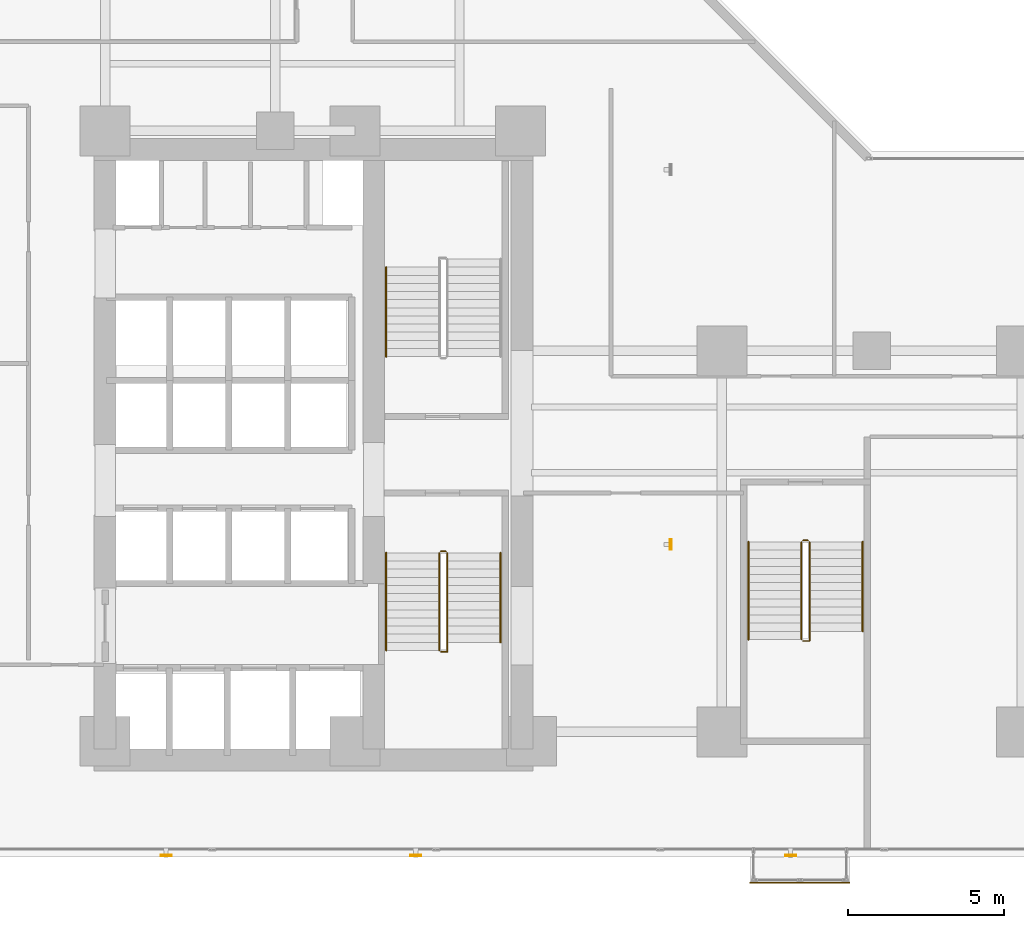
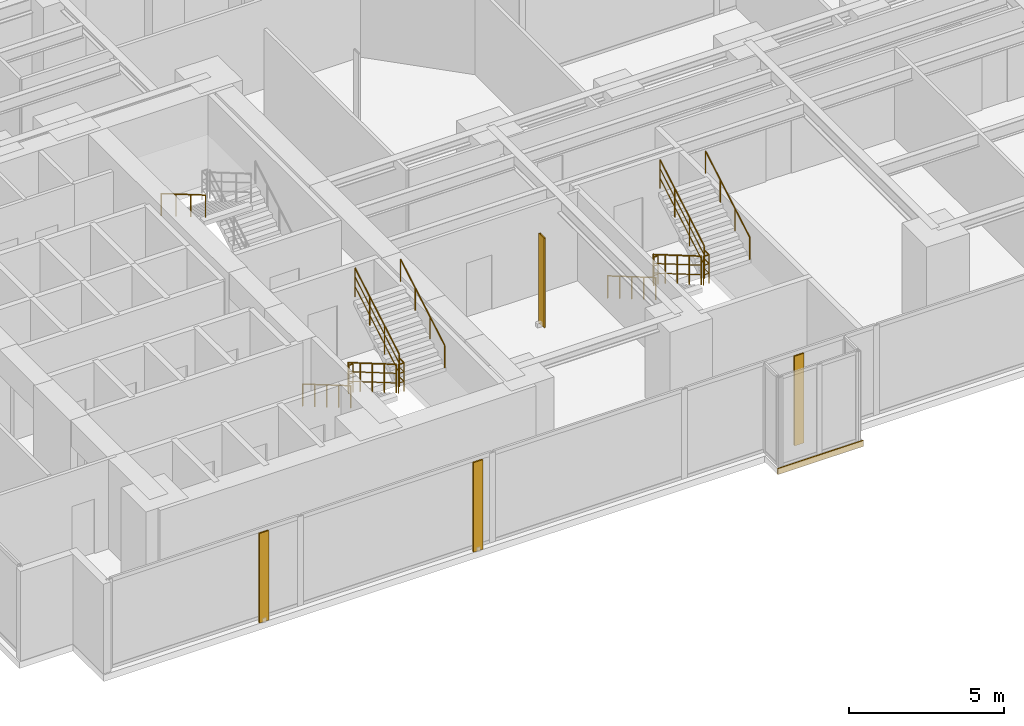
# One storey, part 25 of 26: 13 railings, 4 shading devices, 1 covering.
"""IFC4 building model written with IfcOpenShell, lengths in metres."""

from ifc_helpers import new_model, si_unit, direction, frame, origin, origin_2d, place, context, subcontext, project, spatial, rectangle, hollow_rectangle, circle, extrude, material, layer, layer_set, material_profile, profile_set, type_object, element, save


model = new_model("IFC4")

# Units and contexts
model_context = context("Model", 3, precision=1e-05, world=origin(), true_north=direction((0.0, 1.0)))
body_context = subcontext(model_context, "Body", "Model", "MODEL_VIEW")
ifc_project = project(units=[si_unit("LENGTHUNIT", "METRE"), si_unit("AREAUNIT", "SQUARE_METRE"), si_unit("VOLUMEUNIT", "CUBIC_METRE"), si_unit("PLANEANGLEUNIT", "RADIAN"), si_unit("MASSUNIT", "GRAM", prefix="KILO")], contexts=[model_context])

# Site, building, storey
site_placement = place(None, origin())
site = spatial("IfcSite", under=ifc_project, at=site_placement, CompositionType="ELEMENT")
building_placement = place(site_placement, origin())
building = spatial("IfcBuilding", under=site, at=building_placement, Name="Kolvaren Waterfront Exchange", CompositionType="ELEMENT")
storey_placement = place(building_placement, frame((0.0, 0.0, 48.60009765625)))
storey = spatial("IfcBuildingStorey", under=building, at=storey_placement, Name="L12", CompositionType="ELEMENT", Elevation=48.60009765625)

# Covering
ifc_material_1 = material(Name="Anodised bronze fascia aluminium", Category="aluminium")
ifc_layer = layer(ifc_material_1, 0.034912109375, Name="Anodised bronze fascia aluminium")
ifc_layer_set = layer_set([ifc_layer], Name="Anodised bronze fascia aluminium")
covering_type = type_object("IfcCoveringType", Name="ARC-CLAD-BRONZE-35", PredefinedType="CLADDING", material=ifc_layer_set)
covering_placement = place(storey_placement, frame((29.699951171875, 0.3701171875, -0.22021484375), z_axis=(0.0, 0.0, 1.0), x_axis=(1.0, 0.0, 0.0)))
element("IfcCovering", 1, at=covering_placement, inside=storey, type_object=covering_type, Name="L12 ribbed anodised bronze bay-box fascia", PredefinedType="CLADDING", context=body_context, shape_type="SweptSolid", body=[
    extrude(rectangle(XDim=3.199951171875, YDim=0.034912109375, at=origin_2d()), origin(), (0.0, 0.0, 1.0), 0.239990234375),
])

# Shading devices
ifc_material_2 = material(Name="Anodised bronze aluminium 6063-T6", Category="aluminium")
ifc_material_profile = material_profile(ifc_material_2, hollow_rectangle(XDim=0.06005859375, YDim=0.35009765625, WallThickness=0.0048828125, at=origin_2d()), Name="BRZ-FIN-350x60x5")
ifc_profile_set = profile_set([ifc_material_profile], Name="Anodised bronze aluminium 6063-T6")
shading_device_type = type_object("IfcShadingDeviceType", Name="ARC-FIN-350", PredefinedType="USERDEFINED", material=ifc_profile_set)
for number, where, z_axis, x_axis, name in (
    (2, (9.39990234375, 1.239990234375, 0.0), (0.0, 0.0, 1.0), (0.0, -1.0, 0.0), "L12 anodised bronze solar shading fin FIN-L12-S1"),
    (3, (17.39990234375, 1.239990234375, 0.0), (0.0, 0.0, 1.0), (0.0, -1.0, 0.0), "L12 anodised bronze solar shading fin FIN-L12-S2"),
    (4, (29.39990234375, 1.239990234375, 0.0), (0.0, 0.0, 1.0), (0.0, -1.0, 0.0), "L12 anodised bronze solar shading fin FIN-L12-S3"),
    (5, (25.56005859375, 11.199951171875, 0.0), (0.0, 0.0, 1.0), (1.0, 0.0, 0.0), "L12 anodised bronze solar shading fin FIN-L12-E1"),
):
    element("IfcShadingDevice", number, at=place(storey_placement, frame(where, z_axis=z_axis, x_axis=x_axis)), inside=storey, type_object=shading_device_type, Name=name, ObjectType="SOLAR FIN", PredefinedType="USERDEFINED", context=body_context, shape_type="SweptSolid", body=[
        extrude(hollow_rectangle(XDim=0.06005859375, YDim=0.35009765625, WallThickness=0.0048828125, at=origin_2d()), origin(), (0.0, 0.0, 1.0), 3.539794921875),
    ])

# Railings
ifc_material_3 = material(Name="Stainless steel 316", Category="steel")
railing_type_1 = type_object("IfcRailingType", Name="ARC-GUARD-STAIR", PredefinedType="GUARDRAIL", material=ifc_material_3)
railing_1_placement = place(storey_placement, frame((18.14990234375, 10.929931640625, 0.15185546875)))
element("IfcRailing", 6, at=railing_1_placement, inside=storey, type_object=railing_type_1, Name="L12 ST1 stair guard 1", PredefinedType="GUARDRAIL", context=body_context, shape_type="SweptSolid", body=[
    extrude(circle(Radius=0.02392578125, at=origin_2d()), frame((0.0, 0.0, 1.1259765625), z_axis=(0.0, -0.86329090724, 0.504706656858), x_axis=(1.0, 0.0, 0.0)), (0.0, 0.0, 1.0), 3.614013671875),
    extrude(circle(Radius=0.01611328125, at=origin_2d()), frame((0.0, 0.0, 0.390869140625), z_axis=(0.0, -0.86329090724, 0.504706656858), x_axis=(1.0, 0.0, 0.0)), (0.0, 0.0, 1.0), 3.614013671875),
    extrude(circle(Radius=0.01611328125, at=origin_2d()), frame((0.0, 0.0, 0.7705078125), z_axis=(0.0, -0.86329090724, 0.504706656858), x_axis=(1.0, 0.0, 0.0)), (0.0, 0.0, 1.0), 3.614013671875),
    extrude(circle(Radius=0.02099609375, at=origin_2d()), origin(), (0.0, 0.0, 1.0), 1.101806640625),
    extrude(circle(Radius=0.02099609375, at=origin_2d()), frame((0.0, -0.780029296875, 0.4560546875)), (0.0, 0.0, 1.0), 1.101806640625),
    extrude(circle(Radius=0.02099609375, at=origin_2d()), frame((0.0, -1.56005859375, 0.912109375)), (0.0, 0.0, 1.0), 1.101806640625),
    extrude(circle(Radius=0.02099609375, at=origin_2d()), frame((0.0, -2.33984375, 1.367919921875)), (0.0, 0.0, 1.0), 1.101806640625),
    extrude(circle(Radius=0.02099609375, at=origin_2d()), frame((0.0, -3.119873046875, 1.823974609375)), (0.0, 0.0, 1.0), 1.101806640625),
])
railing_2_placement = place(storey_placement, frame((18.199951171875, 7.760009765625, 1.975830078125)))
element("IfcRailing", 7, at=railing_2_placement, inside=storey, type_object=railing_type_1, Name="L12 ST1 stair guard 2", PredefinedType="GUARDRAIL", context=body_context, shape_type="SweptSolid", body=[
    extrude(circle(Radius=0.02392578125, at=origin_2d()), frame((0.0, 0.0, 1.1259765625), z_axis=(1.0, 0.0, 0.0), x_axis=(0.0, 1.0, 0.0)), (0.0, 0.0, 1.0), 0.2099609375),
    extrude(circle(Radius=0.01611328125, at=origin_2d()), frame((0.0, 0.0, 0.390869140625), z_axis=(1.0, 0.0, 0.0), x_axis=(0.0, 1.0, 0.0)), (0.0, 0.0, 1.0), 0.2099609375),
    extrude(circle(Radius=0.01611328125, at=origin_2d()), frame((0.0, 0.0, 0.7705078125), z_axis=(1.0, 0.0, 0.0), x_axis=(0.0, 1.0, 0.0)), (0.0, 0.0, 1.0), 0.2099609375),
    extrude(circle(Radius=0.02392578125, at=origin_2d()), frame((0.2099609375, 0.0, 1.1259765625), z_axis=(0.0, 1.0, 0.0), x_axis=(-1.0, 0.0, 0.0)), (0.0, 0.0, 1.0), 0.31005859375),
    extrude(circle(Radius=0.01611328125, at=origin_2d()), frame((0.2099609375, 0.0, 0.390869140625), z_axis=(0.0, 1.0, 0.0), x_axis=(-1.0, 0.0, 0.0)), (0.0, 0.0, 1.0), 0.31005859375),
    extrude(circle(Radius=0.01611328125, at=origin_2d()), frame((0.2099609375, 0.0, 0.7705078125), z_axis=(0.0, 1.0, 0.0), x_axis=(-1.0, 0.0, 0.0)), (0.0, 0.0, 1.0), 0.31005859375),
    extrude(circle(Radius=0.02099609375, at=origin_2d()), origin(), (0.0, 0.0, 1.0), 1.101806640625),
    extrude(circle(Radius=0.02099609375, at=origin_2d()), frame((0.2099609375, 0.0, 0.0)), (0.0, 0.0, 1.0), 1.101806640625),
    extrude(circle(Radius=0.02099609375, at=origin_2d()), frame((0.2099609375, 0.31005859375, 0.0)), (0.0, 0.0, 1.0), 1.101806640625),
])
railing_3_placement = place(storey_placement, frame((18.409912109375, 8.070068359375, 2.1279296875)))
element("IfcRailing", 8, at=railing_3_placement, inside=storey, type_object=railing_type_1, Name="L12 ST1 stair guard 3", PredefinedType="GUARDRAIL", context=body_context, shape_type="SweptSolid", body=[
    extrude(circle(Radius=0.02392578125, at=origin_2d()), frame((0.0, 0.0, 1.1259765625), z_axis=(0.0, 0.86330272217, 0.504686447108), x_axis=(-1.0, 0.0, 0.0)), (0.0, 0.0, 1.0), 3.312744140625),
    extrude(circle(Radius=0.01611328125, at=origin_2d()), frame((0.0, 0.0, 0.390869140625), z_axis=(0.0, 0.86330272217, 0.504686447108), x_axis=(-1.0, 0.0, 0.0)), (0.0, 0.0, 1.0), 3.312744140625),
    extrude(circle(Radius=0.01611328125, at=origin_2d()), frame((0.0, 0.0, 0.7705078125), z_axis=(0.0, 0.86330272217, 0.504686447108), x_axis=(-1.0, 0.0, 0.0)), (0.0, 0.0, 1.0), 3.312744140625),
    extrude(circle(Radius=0.02099609375, at=origin_2d()), origin(), (0.0, 0.0, 1.0), 1.101806640625),
    extrude(circle(Radius=0.02099609375, at=origin_2d()), frame((0.0, 0.953369140625, 0.557373046875)), (0.0, 0.0, 1.0), 1.101806640625),
    extrude(circle(Radius=0.02099609375, at=origin_2d()), frame((0.0, 1.906494140625, 1.114501953125)), (0.0, 0.0, 1.0), 1.101806640625),
    extrude(circle(Radius=0.02099609375, at=origin_2d()), frame((0.0, 2.85986328125, 1.671875)), (0.0, 0.0, 1.0), 1.101806640625),
])
railing_4_placement = place(storey_placement, frame((18.199951171875, 10.97998046875, 0.0)))
element("IfcRailing", 9, at=railing_4_placement, inside=storey, type_object=railing_type_1, Name="L12 ST1 stair guard 4", PredefinedType="GUARDRAIL", context=body_context, shape_type="SweptSolid", body=[
    extrude(circle(Radius=0.02392578125, at=origin_2d()), frame((0.0, 0.0, 1.1259765625), z_axis=(1.0, 0.0, 0.0), x_axis=(0.0, 1.0, 0.0)), (0.0, 0.0, 1.0), 0.16015625),
    extrude(circle(Radius=0.01611328125, at=origin_2d()), frame((0.0, 0.0, 0.390869140625), z_axis=(1.0, 0.0, 0.0), x_axis=(0.0, 1.0, 0.0)), (0.0, 0.0, 1.0), 0.16015625),
    extrude(circle(Radius=0.01611328125, at=origin_2d()), frame((0.0, 0.0, 0.7705078125), z_axis=(1.0, 0.0, 0.0), x_axis=(0.0, 1.0, 0.0)), (0.0, 0.0, 1.0), 0.16015625),
    extrude(circle(Radius=0.02099609375, at=origin_2d()), origin(), (0.0, 0.0, 1.0), 1.101806640625),
    extrude(circle(Radius=0.02099609375, at=origin_2d()), frame((0.16015625, 0.0, 0.0)), (0.0, 0.0, 1.0), 1.101806640625),
])
railing_5_placement = place(storey_placement, frame((29.75, 11.280029296875, 0.15185546875)))
element("IfcRailing", 10, at=railing_5_placement, inside=storey, type_object=railing_type_1, Name="L12 ST3 stair guard 1", PredefinedType="GUARDRAIL", context=body_context, shape_type="SweptSolid", body=[
    extrude(circle(Radius=0.02392578125, at=origin_2d()), frame((0.0, 0.0, 1.1259765625), z_axis=(0.0, -0.86330811405, 0.504677223793), x_axis=(1.0, 0.0, 0.0)), (0.0, 0.0, 1.0), 3.6142578125),
    extrude(circle(Radius=0.01611328125, at=origin_2d()), frame((0.0, 0.0, 0.390869140625), z_axis=(0.0, -0.86330811405, 0.504677223793), x_axis=(1.0, 0.0, 0.0)), (0.0, 0.0, 1.0), 3.6142578125),
    extrude(circle(Radius=0.01611328125, at=origin_2d()), frame((0.0, 0.0, 0.7705078125), z_axis=(0.0, -0.86330811405, 0.504677223793), x_axis=(1.0, 0.0, 0.0)), (0.0, 0.0, 1.0), 3.6142578125),
    extrude(circle(Radius=0.02099609375, at=origin_2d()), origin(), (0.0, 0.0, 1.0), 1.101806640625),
    extrude(circle(Radius=0.02099609375, at=origin_2d()), frame((0.0, -0.780029296875, 0.4560546875)), (0.0, 0.0, 1.0), 1.101806640625),
    extrude(circle(Radius=0.02099609375, at=origin_2d()), frame((0.0, -1.56005859375, 0.912109375)), (0.0, 0.0, 1.0), 1.101806640625),
    extrude(circle(Radius=0.02099609375, at=origin_2d()), frame((0.0, -2.340087890625, 1.367919921875)), (0.0, 0.0, 1.0), 1.101806640625),
    extrude(circle(Radius=0.02099609375, at=origin_2d()), frame((0.0, -3.1201171875, 1.823974609375)), (0.0, 0.0, 1.0), 1.101806640625),
])
railing_6_placement = place(storey_placement, frame((29.800048828125, 8.110107421875, 1.975830078125)))
element("IfcRailing", 11, at=railing_6_placement, inside=storey, type_object=railing_type_1, Name="L12 ST3 stair guard 2", PredefinedType="GUARDRAIL", context=body_context, shape_type="SweptSolid", body=[
    extrude(circle(Radius=0.02392578125, at=origin_2d()), frame((0.0, 0.0, 1.1259765625), z_axis=(1.0, 0.0, 0.0), x_axis=(0.0, 1.0, 0.0)), (0.0, 0.0, 1.0), 0.2099609375),
    extrude(circle(Radius=0.01611328125, at=origin_2d()), frame((0.0, 0.0, 0.390869140625), z_axis=(1.0, 0.0, 0.0), x_axis=(0.0, 1.0, 0.0)), (0.0, 0.0, 1.0), 0.2099609375),
    extrude(circle(Radius=0.01611328125, at=origin_2d()), frame((0.0, 0.0, 0.7705078125), z_axis=(1.0, 0.0, 0.0), x_axis=(0.0, 1.0, 0.0)), (0.0, 0.0, 1.0), 0.2099609375),
    extrude(circle(Radius=0.02392578125, at=origin_2d()), frame((0.2099609375, 0.0, 1.1259765625), z_axis=(0.0, 1.0, 0.0), x_axis=(-1.0, 0.0, 0.0)), (0.0, 0.0, 1.0), 0.309814453125),
    extrude(circle(Radius=0.01611328125, at=origin_2d()), frame((0.2099609375, 0.0, 0.390869140625), z_axis=(0.0, 1.0, 0.0), x_axis=(-1.0, 0.0, 0.0)), (0.0, 0.0, 1.0), 0.309814453125),
    extrude(circle(Radius=0.01611328125, at=origin_2d()), frame((0.2099609375, 0.0, 0.7705078125), z_axis=(0.0, 1.0, 0.0), x_axis=(-1.0, 0.0, 0.0)), (0.0, 0.0, 1.0), 0.309814453125),
    extrude(circle(Radius=0.02099609375, at=origin_2d()), origin(), (0.0, 0.0, 1.0), 1.101806640625),
    extrude(circle(Radius=0.02099609375, at=origin_2d()), frame((0.2099609375, 0.0, 0.0)), (0.0, 0.0, 1.0), 1.101806640625),
    extrude(circle(Radius=0.02099609375, at=origin_2d()), frame((0.2099609375, 0.309814453125, 0.0)), (0.0, 0.0, 1.0), 1.101806640625),
])
railing_7_placement = place(storey_placement, frame((30.010009765625, 8.419921875, 2.1279296875)))
element("IfcRailing", 12, at=railing_7_placement, inside=storey, type_object=railing_type_1, Name="L12 ST3 stair guard 3", PredefinedType="GUARDRAIL", context=body_context, shape_type="SweptSolid", body=[
    extrude(circle(Radius=0.02392578125, at=origin_2d()), frame((0.0, 0.0, 1.1259765625), z_axis=(0.0, 0.863321491973, 0.504654338629), x_axis=(-1.0, 0.0, 0.0)), (0.0, 0.0, 1.0), 3.31298828125),
    extrude(circle(Radius=0.01611328125, at=origin_2d()), frame((0.0, 0.0, 0.390869140625), z_axis=(0.0, 0.863321491973, 0.504654338629), x_axis=(-1.0, 0.0, 0.0)), (0.0, 0.0, 1.0), 3.31298828125),
    extrude(circle(Radius=0.01611328125, at=origin_2d()), frame((0.0, 0.0, 0.7705078125), z_axis=(0.0, 0.863321491973, 0.504654338629), x_axis=(-1.0, 0.0, 0.0)), (0.0, 0.0, 1.0), 3.31298828125),
    extrude(circle(Radius=0.02099609375, at=origin_2d()), origin(), (0.0, 0.0, 1.0), 1.101806640625),
    extrude(circle(Radius=0.02099609375, at=origin_2d()), frame((0.0, 0.953369140625, 0.557373046875)), (0.0, 0.0, 1.0), 1.101806640625),
    extrude(circle(Radius=0.02099609375, at=origin_2d()), frame((0.0, 1.90673828125, 1.114501953125)), (0.0, 0.0, 1.0), 1.101806640625),
    extrude(circle(Radius=0.02099609375, at=origin_2d()), frame((0.0, 2.860107421875, 1.671875)), (0.0, 0.0, 1.0), 1.101806640625),
])
railing_8_placement = place(storey_placement, frame((29.800048828125, 11.330078125, 0.0)))
element("IfcRailing", 13, at=railing_8_placement, inside=storey, type_object=railing_type_1, Name="L12 ST3 stair guard 4", PredefinedType="GUARDRAIL", context=body_context, shape_type="SweptSolid", body=[
    extrude(circle(Radius=0.02392578125, at=origin_2d()), frame((0.0, 0.0, 1.1259765625), z_axis=(1.0, 0.0, 0.0), x_axis=(0.0, 1.0, 0.0)), (0.0, 0.0, 1.0), 0.159912109375),
    extrude(circle(Radius=0.01611328125, at=origin_2d()), frame((0.0, 0.0, 0.390869140625), z_axis=(1.0, 0.0, 0.0), x_axis=(0.0, 1.0, 0.0)), (0.0, 0.0, 1.0), 0.159912109375),
    extrude(circle(Radius=0.01611328125, at=origin_2d()), frame((0.0, 0.0, 0.7705078125), z_axis=(1.0, 0.0, 0.0), x_axis=(0.0, 1.0, 0.0)), (0.0, 0.0, 1.0), 0.159912109375),
    extrude(circle(Radius=0.02099609375, at=origin_2d()), origin(), (0.0, 0.0, 1.0), 1.101806640625),
    extrude(circle(Radius=0.02099609375, at=origin_2d()), frame((0.159912109375, 0.0, 0.0)), (0.0, 0.0, 1.0), 1.101806640625),
])
railing_type_2 = type_object("IfcRailingType", Name="ARC-HANDRAIL-900", PredefinedType="HANDRAIL", material=ifc_material_3)
railing_9_placement = place(storey_placement, frame((16.449951171875, 10.929931640625, 0.15185546875)))
element("IfcRailing", 14, at=railing_9_placement, inside=storey, type_object=railing_type_2, Name="L12 ST1 stair handrail 1", PredefinedType="HANDRAIL", context=body_context, shape_type="SweptSolid", body=[
    extrude(circle(Radius=0.02392578125, at=origin_2d()), frame((0.0, 0.0, 0.8759765625), z_axis=(0.0, -0.86329090724, 0.504706656858), x_axis=(1.0, 0.0, 0.0)), (0.0, 0.0, 1.0), 3.614013671875),
    extrude(circle(Radius=0.02099609375, at=origin_2d()), origin(), (0.0, 0.0, 1.0), 0.851806640625),
    extrude(circle(Radius=0.02099609375, at=origin_2d()), frame((0.0, -0.780029296875, 0.4560546875)), (0.0, 0.0, 1.0), 0.851806640625),
    extrude(circle(Radius=0.02099609375, at=origin_2d()), frame((0.0, -1.56005859375, 0.912109375)), (0.0, 0.0, 1.0), 0.851806640625),
    extrude(circle(Radius=0.02099609375, at=origin_2d()), frame((0.0, -2.33984375, 1.367919921875)), (0.0, 0.0, 1.0), 0.851806640625),
    extrude(circle(Radius=0.02099609375, at=origin_2d()), frame((0.0, -3.119873046875, 1.823974609375)), (0.0, 0.0, 1.0), 0.851806640625),
])
railing_10_placement = place(storey_placement, frame((20.110107421875, 8.070068359375, 2.1279296875)))
element("IfcRailing", 15, at=railing_10_placement, inside=storey, type_object=railing_type_2, Name="L12 ST1 stair handrail 2", PredefinedType="HANDRAIL", context=body_context, shape_type="SweptSolid", body=[
    extrude(circle(Radius=0.02392578125, at=origin_2d()), frame((0.0, 0.0, 0.8759765625), z_axis=(0.0, 0.86330272217, 0.504686447108), x_axis=(-1.0, 0.0, 0.0)), (0.0, 0.0, 1.0), 3.312744140625),
    extrude(circle(Radius=0.02099609375, at=origin_2d()), origin(), (0.0, 0.0, 1.0), 0.851806640625),
    extrude(circle(Radius=0.02099609375, at=origin_2d()), frame((0.0, 0.953369140625, 0.557373046875)), (0.0, 0.0, 1.0), 0.851806640625),
    extrude(circle(Radius=0.02099609375, at=origin_2d()), frame((0.0, 1.906494140625, 1.114501953125)), (0.0, 0.0, 1.0), 0.851806640625),
    extrude(circle(Radius=0.02099609375, at=origin_2d()), frame((0.0, 2.85986328125, 1.671875)), (0.0, 0.0, 1.0), 0.851806640625),
])
railing_11_placement = place(storey_placement, frame((16.449951171875, 20.080078125, 2.1279296875)))
element("IfcRailing", 16, at=railing_11_placement, inside=storey, type_object=railing_type_2, Name="L12 ST2 stair handrail 2", PredefinedType="HANDRAIL", context=body_context, shape_type="SweptSolid", body=[
    extrude(circle(Radius=0.02392578125, at=origin_2d()), frame((0.0, 0.0, 0.8759765625), z_axis=(0.0, -0.863321491973, 0.504654338629), x_axis=(1.0, 0.0, 0.0)), (0.0, 0.0, 1.0), 3.31298828125),
    extrude(circle(Radius=0.02099609375, at=origin_2d()), origin(), (0.0, 0.0, 1.0), 0.851806640625),
    extrude(circle(Radius=0.02099609375, at=origin_2d()), frame((0.0, -0.953369140625, 0.557373046875)), (0.0, 0.0, 1.0), 0.851806640625),
    extrude(circle(Radius=0.02099609375, at=origin_2d()), frame((0.0, -1.90673828125, 1.114501953125)), (0.0, 0.0, 1.0), 0.851806640625),
    extrude(circle(Radius=0.02099609375, at=origin_2d()), frame((0.0, -2.860107421875, 1.671875)), (0.0, 0.0, 1.0), 0.851806640625),
])
railing_12_placement = place(storey_placement, frame((28.050048828125, 11.280029296875, 0.15185546875)))
element("IfcRailing", 17, at=railing_12_placement, inside=storey, type_object=railing_type_2, Name="L12 ST3 stair handrail 1", PredefinedType="HANDRAIL", context=body_context, shape_type="SweptSolid", body=[
    extrude(circle(Radius=0.02392578125, at=origin_2d()), frame((0.0, 0.0, 0.8759765625), z_axis=(0.0, -0.86330811405, 0.504677223793), x_axis=(1.0, 0.0, 0.0)), (0.0, 0.0, 1.0), 3.6142578125),
    extrude(circle(Radius=0.02099609375, at=origin_2d()), origin(), (0.0, 0.0, 1.0), 0.851806640625),
    extrude(circle(Radius=0.02099609375, at=origin_2d()), frame((0.0, -0.780029296875, 0.4560546875)), (0.0, 0.0, 1.0), 0.851806640625),
    extrude(circle(Radius=0.02099609375, at=origin_2d()), frame((0.0, -1.56005859375, 0.912109375)), (0.0, 0.0, 1.0), 0.851806640625),
    extrude(circle(Radius=0.02099609375, at=origin_2d()), frame((0.0, -2.340087890625, 1.367919921875)), (0.0, 0.0, 1.0), 0.851806640625),
    extrude(circle(Radius=0.02099609375, at=origin_2d()), frame((0.0, -3.1201171875, 1.823974609375)), (0.0, 0.0, 1.0), 0.851806640625),
])
railing_13_placement = place(storey_placement, frame((31.7099609375, 8.419921875, 2.1279296875)))
element("IfcRailing", 18, at=railing_13_placement, inside=storey, type_object=railing_type_2, Name="L12 ST3 stair handrail 2", PredefinedType="HANDRAIL", context=body_context, shape_type="SweptSolid", body=[
    extrude(circle(Radius=0.02392578125, at=origin_2d()), frame((0.0, 0.0, 0.8759765625), z_axis=(0.0, 0.863321491973, 0.504654338629), x_axis=(-1.0, 0.0, 0.0)), (0.0, 0.0, 1.0), 3.31298828125),
    extrude(circle(Radius=0.02099609375, at=origin_2d()), origin(), (0.0, 0.0, 1.0), 0.851806640625),
    extrude(circle(Radius=0.02099609375, at=origin_2d()), frame((0.0, 0.953369140625, 0.557373046875)), (0.0, 0.0, 1.0), 0.851806640625),
    extrude(circle(Radius=0.02099609375, at=origin_2d()), frame((0.0, 1.90673828125, 1.114501953125)), (0.0, 0.0, 1.0), 0.851806640625),
    extrude(circle(Radius=0.02099609375, at=origin_2d()), frame((0.0, 2.860107421875, 1.671875)), (0.0, 0.0, 1.0), 0.851806640625),
])

save(model, "model.ifc")
